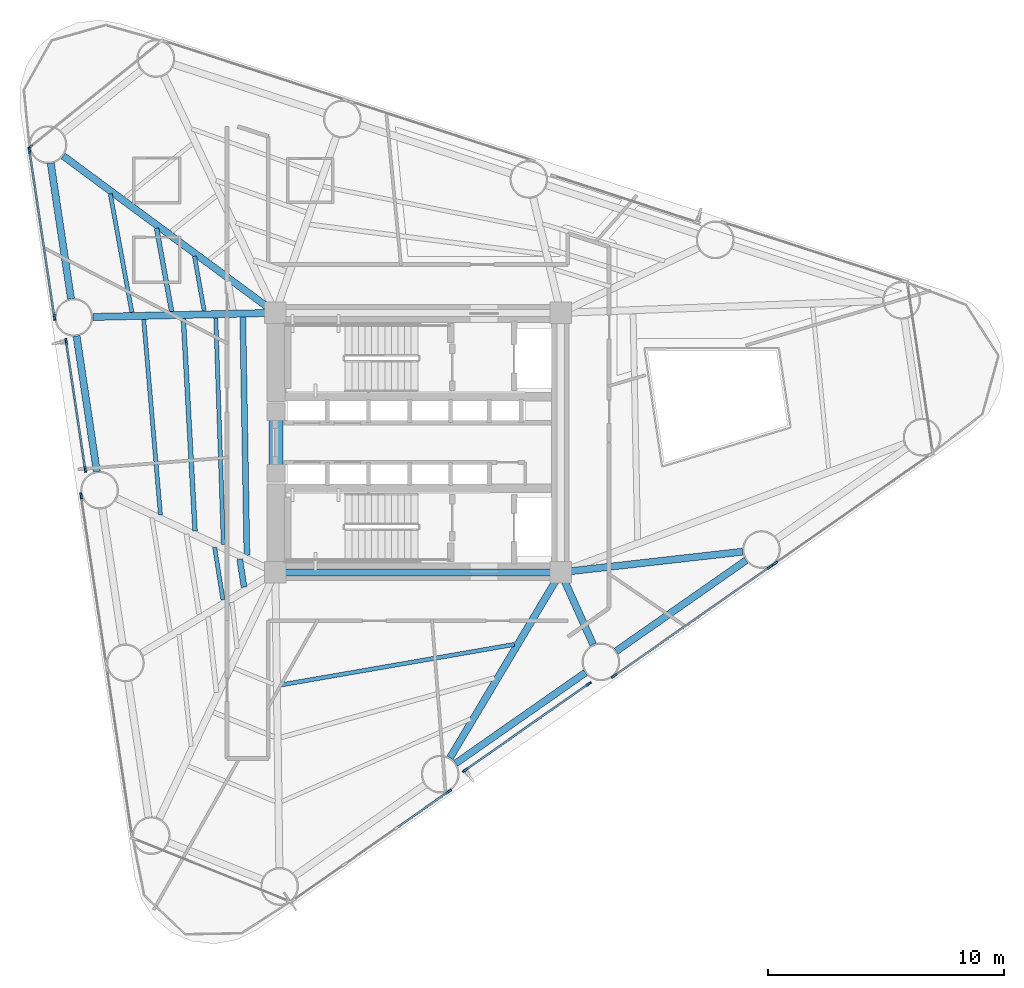
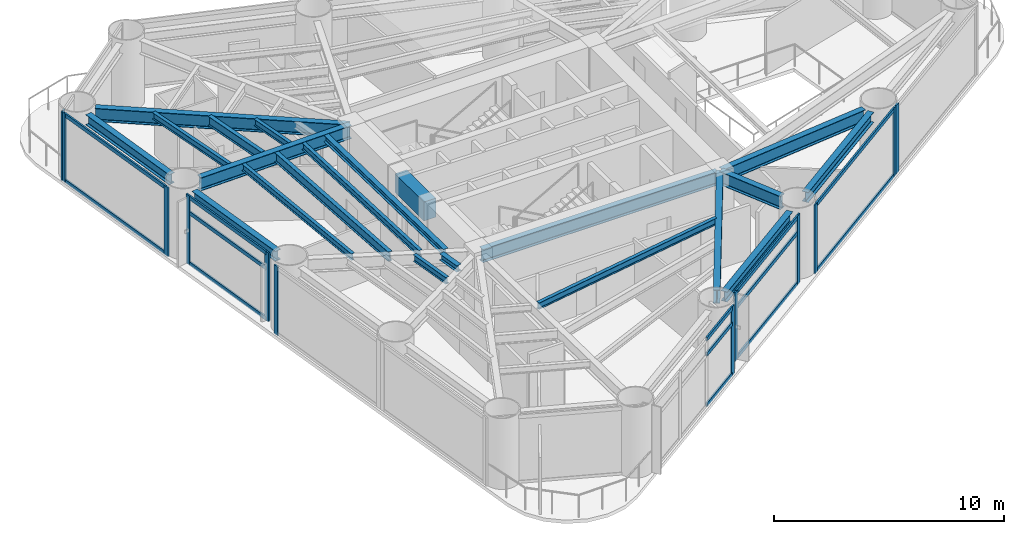
# One storey, part 2 of 9: 25 members, 21 beams, 8 elements without a shape of their own.
"""IFC4 building model written with IfcOpenShell, lengths in metres."""

from ifc_helpers import new_model, si_unit, direction, frame, origin, origin_2d, place, context, subcontext, project, spatial, rectangle, i_section, extrude, source, transform, mapped, material, layer, layer_set, material_profile, profile_set, type_object, element, aggregate, save


model = new_model("IFC4")

# Units and contexts
model_context = context("Model", 3, precision=1e-05, world=origin(), true_north=direction((0.0, 1.0)))
body_context = subcontext(model_context, "Body", "Model", "MODEL_VIEW")
ifc_project = project(units=[si_unit("LENGTHUNIT", "METRE"), si_unit("AREAUNIT", "SQUARE_METRE"), si_unit("VOLUMEUNIT", "CUBIC_METRE"), si_unit("PLANEANGLEUNIT", "RADIAN"), si_unit("MASSUNIT", "GRAM", prefix="KILO")], contexts=[model_context])

# Site, building, storey
site_placement = place(None, origin())
site = spatial("IfcSite", under=ifc_project, at=site_placement, CompositionType="ELEMENT")
building_placement = place(site_placement, origin())
building = spatial("IfcBuilding", under=site, at=building_placement, Name="Yunling Apex Tower", CompositionType="ELEMENT")
storey_placement = place(building_placement, frame((0.0, 0.0, 66.050048828125)))
storey = spatial("IfcBuildingStorey", under=building, at=storey_placement, Name="L17", CompositionType="ELEMENT", Elevation=66.050048828125)

# Beams
ifc_material_1 = material(Name="Concrete C60", Category="concrete")
ifc_material_profile_1 = material_profile(ifc_material_1, rectangle(XDim=0.60009765625, YDim=1.0, at=origin_2d()))
ifc_profile_set_1 = profile_set([ifc_material_profile_1], Name="Concrete C60")
beam_type_1 = type_object("IfcBeamType", Name="BC-CPL-1", PredefinedType="BEAM", material=ifc_profile_set_1)
shared_shape_1 = source(origin(), body_context, "Body", "SweptSolid", [
    extrude(rectangle(XDim=0.60009765625, YDim=1.0, at=origin_2d()), origin(), (0.0, 0.0, 1.0), 2.5),
])
beam_1_placement = place(storey_placement, frame((-6.02490234375, -1.25, 3.06494140625), z_axis=(0.0, 1.0, 0.0), x_axis=(-1.0, 0.0, 0.0)))
element("IfcBeam", 1, at=beam_1_placement, inside=storey, type_object=beam_type_1, Name="L17 Core West Portal Coupling Beam", PredefinedType="BEAM", context=body_context, shape_type="MappedRepresentation", body=[
    mapped(shared_shape_1, transform((0.0, 0.0, 0.0), scale=1.0)),
])
ifc_material_2 = material(Name="Steel Q355B", Category="steel")
ifc_material_profile_2 = material_profile(ifc_material_2, i_section(OverallWidth=0.300048828125, OverallDepth=0.699951171875, WebThickness=0.012939453125, FlangeThickness=0.02392578125, FilletRadius=0.02587890625, at=origin_2d()))
ifc_profile_set_2 = profile_set([ifc_material_profile_2], Name="Steel Q355B")
beam_type_2 = type_object("IfcBeamType", Name="BG-PRI-3", PredefinedType="USERDEFINED", material=ifc_profile_set_2)
shared_shape_2 = source(origin(), body_context, "Body", "SweptSolid", [
    extrude(i_section(OverallWidth=0.300048828125, OverallDepth=0.699951171875, WebThickness=0.012939453125, FlangeThickness=0.02392578125, FilletRadius=0.02587890625, at=origin_2d()), origin(), (0.0, 0.0, 1.0), 11.7998046875),
])
beam_2_placement = place(storey_placement, frame((-5.89990234375, -5.5, 3.21484375), z_axis=(1.0, 0.0, 0.0), x_axis=(0.0, 1.0, 0.0)))
element("IfcBeam", 2, at=beam_2_placement, inside=storey, type_object=beam_type_2, Name="L17 Core Ring Tie Beam 1", ObjectType="GIRDER", PredefinedType="USERDEFINED", context=body_context, shape_type="MappedRepresentation", body=[
    mapped(shared_shape_2, transform((0.0, 0.0, 0.0), scale=1.0)),
])
ifc_material_profile_3 = material_profile(ifc_material_2, i_section(OverallWidth=0.300048828125, OverallDepth=0.5400390625, WebThickness=0.011962890625, FlangeThickness=0.02001953125, FilletRadius=0.02392578125, at=origin_2d()))
ifc_profile_set_3 = profile_set([ifc_material_profile_3], Name="Steel Q355B")
beam_type_3 = type_object("IfcBeamType", Name="BP-SPN-1", PredefinedType="SPANDREL", material=ifc_profile_set_3)
shared_shape_3 = source(origin(), body_context, "Body", "SweptSolid", [
    extrude(i_section(OverallWidth=0.300048828125, OverallDepth=0.5400390625, WebThickness=0.011962890625, FlangeThickness=0.02001953125, FilletRadius=0.02392578125, at=origin_2d()), origin(), (0.0, 0.0, 1.0), 6.721435546875),
])
for number, where, z_axis, x_axis, name in (
    (3, (1.59228515625, -13.60302734375, 3.294921875), (0.81955772083, 0.572996633697, 0.0), (-0.572996633697, 0.81955772083, 0.0), "L17 Perimeter Spandrel Beam 2"),
    (4, (8.40234375, -8.841796875, 3.294921875), (0.81955772083, 0.572996633697, 0.0), (-0.572996633697, 0.81955772083, 0.0), "L17 Perimeter Spandrel Beam 3"),
):
    element("IfcBeam", number, at=place(storey_placement, frame(where, z_axis=z_axis, x_axis=x_axis)), inside=storey, type_object=beam_type_3, Name=name, PredefinedType="SPANDREL", context=body_context, shape_type="MappedRepresentation", body=[
        mapped(shared_shape_3, transform((0.0, 0.0, 0.0), scale=1.0)),
    ])
shared_shape_4 = source(origin(), body_context, "Body", "SweptSolid", [
    extrude(i_section(OverallWidth=0.300048828125, OverallDepth=0.5400390625, WebThickness=0.011962890625, FlangeThickness=0.02001953125, FilletRadius=0.02392578125, at=origin_2d()), origin(), (0.0, 0.0, 1.0), 5.81689453125),
])
for number, where, z_axis, x_axis, name in (
    (5, (-15.57177734375, 11.84423828125, 3.294921875), (0.147823230204, -0.989013797989, 0.0), (0.989013797989, 0.147823230204, 0.0), "L17 Perimeter Spandrel Beam 11"),
    (6, (-14.477294921875, 4.5205078125, 3.294921875), (0.147823230204, -0.989013797989, 0.0), (0.989013797989, 0.147823230204, 0.0), "L17 Perimeter Spandrel Beam 12"),
):
    element("IfcBeam", number, at=place(storey_placement, frame(where, z_axis=z_axis, x_axis=x_axis)), inside=storey, type_object=beam_type_3, Name=name, PredefinedType="SPANDREL", context=body_context, shape_type="MappedRepresentation", body=[
        mapped(shared_shape_4, transform((0.0, 0.0, 0.0), scale=1.0)),
    ])
shared_shape_5 = source(origin(), body_context, "Body", "SweptSolid", [
    extrude(i_section(OverallWidth=0.300048828125, OverallDepth=0.699951171875, WebThickness=0.012939453125, FlangeThickness=0.02392578125, FilletRadius=0.02587890625, at=origin_2d()), origin(), (0.0, 0.0, 1.0), 9.078857421875),
])
beam_3_placement = place(storey_placement, frame((1.355712890625, -13.3642578125, 3.21484375), z_axis=(0.512544819157, 0.858660473269, 0.0), x_axis=(-0.858660473269, 0.512544819157, 0.0)))
element("IfcBeam", 7, at=beam_3_placement, inside=storey, type_object=beam_type_2, Name="L17 Radial Primary Girder R02", ObjectType="GIRDER", PredefinedType="USERDEFINED", context=body_context, shape_type="MappedRepresentation", body=[
    mapped(shared_shape_5, transform((0.0, 0.0, 0.0), scale=1.0)),
])
shared_shape_6 = source(origin(), body_context, "Body", "SweptSolid", [
    extrude(i_section(OverallWidth=0.300048828125, OverallDepth=0.699951171875, WebThickness=0.012939453125, FlangeThickness=0.02392578125, FilletRadius=0.02587890625, at=origin_2d()), origin(), (0.0, 0.0, 1.0), 3.272705078125),
])
beam_4_placement = place(storey_placement, frame((7.421142578125, -8.5595703125, 3.21484375), z_axis=(-0.408946662986, 0.912558286814, 0.0), x_axis=(-0.912558286814, -0.408946662986, 0.0)))
element("IfcBeam", 8, at=beam_4_placement, inside=storey, type_object=beam_type_2, Name="L17 Radial Primary Girder R03", ObjectType="GIRDER", PredefinedType="USERDEFINED", context=body_context, shape_type="MappedRepresentation", body=[
    mapped(shared_shape_6, transform((0.0, 0.0, 0.0), scale=1.0)),
])
shared_shape_7 = source(origin(), body_context, "Body", "SweptSolid", [
    extrude(i_section(OverallWidth=0.300048828125, OverallDepth=0.699951171875, WebThickness=0.012939453125, FlangeThickness=0.02392578125, FilletRadius=0.02587890625, at=origin_2d()), origin(), (0.0, 0.0, 1.0), 7.677978515625),
])
beam_5_placement = place(storey_placement, frame((13.758544921875, -4.62646484375, 3.21484375), z_axis=(-0.993640958951, -0.112595047382, 0.0), x_axis=(0.112595047382, -0.993640958951, 0.0)))
element("IfcBeam", 9, at=beam_5_placement, inside=storey, type_object=beam_type_2, Name="L17 Radial Primary Girder R04", ObjectType="GIRDER", PredefinedType="USERDEFINED", context=body_context, shape_type="MappedRepresentation", body=[
    mapped(shared_shape_7, transform((0.0, 0.0, 0.0), scale=1.0)),
])
shared_shape_8 = source(origin(), body_context, "Body", "SweptSolid", [
    extrude(i_section(OverallWidth=0.300048828125, OverallDepth=0.699951171875, WebThickness=0.012939453125, FlangeThickness=0.02392578125, FilletRadius=0.02587890625, at=origin_2d()), origin(), (0.0, 0.0, 1.0), 11.101318359375),
])
beam_6_placement = place(storey_placement, frame((-15.03955078125, 12.14892578125, 3.21484375), z_axis=(0.803988254112, -0.594645177606, 0.0), x_axis=(0.594645177606, 0.803988254112, 0.0)))
element("IfcBeam", 10, at=beam_6_placement, inside=storey, type_object=beam_type_2, Name="L17 Radial Primary Girder R11", ObjectType="GIRDER", PredefinedType="USERDEFINED", context=body_context, shape_type="MappedRepresentation", body=[
    mapped(shared_shape_8, transform((0.0, 0.0, 0.0), scale=1.0)),
])
shared_shape_9 = source(origin(), body_context, "Body", "SweptSolid", [
    extrude(i_section(OverallWidth=0.300048828125, OverallDepth=0.699951171875, WebThickness=0.012939453125, FlangeThickness=0.02392578125, FilletRadius=0.02587890625, at=origin_2d()), origin(), (0.0, 0.0, 1.0), 7.658935546875),
])
beam_7_placement = place(storey_placement, frame((-13.786865234375, 5.32421875, 3.21484375), z_axis=(0.999741687414, 0.022727922173, 0.0), x_axis=(-0.022727922173, 0.999741687414, 0.0)))
element("IfcBeam", 11, at=beam_7_placement, inside=storey, type_object=beam_type_2, Name="L17 Radial Primary Girder R12", ObjectType="GIRDER", PredefinedType="USERDEFINED", context=body_context, shape_type="MappedRepresentation", body=[
    mapped(shared_shape_9, transform((0.0, 0.0, 0.0), scale=1.0)),
])
ifc_material_profile_4 = material_profile(ifc_material_2, i_section(OverallWidth=0.175048828125, OverallDepth=0.35009765625, WebThickness=0.007080078125, FlangeThickness=0.010986328125, FilletRadius=0.013916015625, at=origin_2d()))
ifc_profile_set_4 = profile_set([ifc_material_profile_4], Name="Steel Q355B")
beam_type_4 = type_object("IfcBeamType", Name="BJ-JST-1", PredefinedType="JOIST", material=ifc_profile_set_4)
shared_shape_10 = source(origin(), body_context, "Body", "SweptSolid", [
    extrude(i_section(OverallWidth=0.175048828125, OverallDepth=0.35009765625, WebThickness=0.007080078125, FlangeThickness=0.010986328125, FilletRadius=0.013916015625, at=origin_2d()), origin(), (0.0, 0.0, 1.0), 10.057861328125),
])
beam_8_placement = place(storey_placement, frame((-5.826904296875, -10.276611328125, 3.389892578125), z_axis=(0.985298923649, 0.170839196488, 0.0), x_axis=(-0.170839196488, 0.985298923649, 0.0)))
element("IfcBeam", 12, at=beam_8_placement, inside=storey, type_object=beam_type_4, Name="L17 Composite Floor Joist BJ3-1", PredefinedType="JOIST", context=body_context, shape_type="MappedRepresentation", body=[
    mapped(shared_shape_10, transform((0.0, 0.0, 0.0), scale=1.0)),
])
ifc_material_profile_5 = material_profile(ifc_material_2, i_section(OverallWidth=0.199951171875, OverallDepth=0.5, WebThickness=0.010009765625, FlangeThickness=0.01611328125, FilletRadius=0.02001953125, at=origin_2d()))
ifc_profile_set_5 = profile_set([ifc_material_profile_5], Name="Steel Q355B")
beam_type_5 = type_object("IfcBeamType", Name="BS-SEC-2", PredefinedType="BEAM", material=ifc_profile_set_5)
shared_shape_11 = source(origin(), body_context, "Body", "SweptSolid", [
    extrude(i_section(OverallWidth=0.199951171875, OverallDepth=0.5, WebThickness=0.010009765625, FlangeThickness=0.01611328125, FilletRadius=0.02001953125, at=origin_2d()), origin(), (0.0, 0.0, 1.0), 3.5859375),
])
beam_9_placement = place(storey_placement, frame((-11.083984375, 9.0869140625, 3.31494140625), z_axis=(0.177830877335, -0.984061064704, 0.0), x_axis=(0.984061064704, 0.177830877335, 0.0)))
element("IfcBeam", 13, at=beam_9_placement, inside=storey, type_object=beam_type_5, Name="L17 Composite Floor Beam BS-11", PredefinedType="BEAM", context=body_context, shape_type="MappedRepresentation", body=[
    mapped(shared_shape_11, transform((0.0, 0.0, 0.0), scale=1.0)),
])
shared_shape_12 = source(origin(), body_context, "Body", "SweptSolid", [
    extrude(i_section(OverallWidth=0.175048828125, OverallDepth=0.35009765625, WebThickness=0.007080078125, FlangeThickness=0.010986328125, FilletRadius=0.013916015625, at=origin_2d()), origin(), (0.0, 0.0, 1.0), 5.102294921875),
])
beam_10_placement = place(storey_placement, frame((-13.047119140625, 10.539306640625, 3.389892578125), z_axis=(0.179533864947, -0.983751793562, 0.0), x_axis=(0.983751793562, 0.179533864947, 0.0)))
element("IfcBeam", 14, at=beam_10_placement, inside=storey, type_object=beam_type_4, Name="L17 Composite Floor Joist BJ1-11", PredefinedType="JOIST", context=body_context, shape_type="MappedRepresentation", body=[
    mapped(shared_shape_12, transform((0.0, 0.0, 0.0), scale=1.0)),
])
shared_shape_13 = source(origin(), body_context, "Body", "SweptSolid", [
    extrude(i_section(OverallWidth=0.175048828125, OverallDepth=0.35009765625, WebThickness=0.007080078125, FlangeThickness=0.010986328125, FilletRadius=0.013916015625, at=origin_2d()), origin(), (0.0, 0.0, 1.0), 2.34521484375),
])
beam_11_placement = place(storey_placement, frame((-9.477783203125, 7.898681640625, 3.389892578125), z_axis=(0.174889813897, -0.984588011808, 0.0), x_axis=(0.984588011808, 0.174889813897, 0.0)))
element("IfcBeam", 15, at=beam_11_placement, inside=storey, type_object=beam_type_4, Name="L17 Composite Floor Joist BJ3-11", PredefinedType="JOIST", context=body_context, shape_type="MappedRepresentation", body=[
    mapped(shared_shape_13, transform((0.0, 0.0, 0.0), scale=1.0)),
])
shared_shape_14 = source(origin(), body_context, "Body", "SweptSolid", [
    extrude(i_section(OverallWidth=0.199951171875, OverallDepth=0.5, WebThickness=0.010009765625, FlangeThickness=0.01611328125, FilletRadius=0.02001953125, at=origin_2d()), origin(), (0.0, 0.0, 1.0), 9.018310546875),
])
beam_12_placement = place(storey_placement, frame((-9.94970703125, 5.25146484375, 3.31494140625), z_axis=(0.054955731572, -0.998488791909, 0.0), x_axis=(0.998488791909, 0.054955731572, 0.0)))
element("IfcBeam", 16, at=beam_12_placement, inside=storey, type_object=beam_type_5, Name="L17 Composite Floor Beam BS-12", PredefinedType="BEAM", context=body_context, shape_type="MappedRepresentation", body=[
    mapped(shared_shape_14, transform((0.0, 0.0, 0.0), scale=1.0)),
])
shared_shape_15 = source(origin(), body_context, "Body", "SweptSolid", [
    extrude(i_section(OverallWidth=0.175048828125, OverallDepth=0.35009765625, WebThickness=0.007080078125, FlangeThickness=0.010986328125, FilletRadius=0.013916015625, at=origin_2d()), origin(), (0.0, 0.0, 1.0), 8.313720703125),
])
beam_13_placement = place(storey_placement, frame((-11.62939453125, 5.21337890625, 3.389892578125), z_axis=(0.085220398072, -0.996362124808, 0.0), x_axis=(0.996362124808, 0.085220398072, 0.0)))
element("IfcBeam", 17, at=beam_13_placement, inside=storey, type_object=beam_type_4, Name="L17 Composite Floor Joist BJ1-12", PredefinedType="JOIST", context=body_context, shape_type="MappedRepresentation", body=[
    mapped(shared_shape_15, transform((0.0, 0.0, 0.0), scale=1.0)),
])
shared_shape_16 = source(origin(), body_context, "Body", "SweptSolid", [
    extrude(i_section(OverallWidth=0.175048828125, OverallDepth=0.35009765625, WebThickness=0.007080078125, FlangeThickness=0.010986328125, FilletRadius=0.013916015625, at=origin_2d()), origin(), (0.0, 0.0, 1.0), 9.600341796875),
])
beam_14_placement = place(storey_placement, frame((-8.57470703125, 5.28271484375, 3.389892578125), z_axis=(0.033364787957, -0.999443240472, 0.0), x_axis=(0.999443240472, 0.033364787957, 0.0)))
element("IfcBeam", 18, at=beam_14_placement, inside=storey, type_object=beam_type_4, Name="L17 Composite Floor Joist BJ3-12", PredefinedType="JOIST", context=body_context, shape_type="MappedRepresentation", body=[
    mapped(shared_shape_16, transform((0.0, 0.0, 0.0), scale=1.0)),
])
ifc_material_profile_6 = material_profile(ifc_material_2, i_section(OverallWidth=0.25, OverallDepth=0.340087890625, WebThickness=0.009033203125, FlangeThickness=0.013916015625, FilletRadius=0.01806640625, at=origin_2d()))
ifc_profile_set_6 = profile_set([ifc_material_profile_6], Name="Steel Q355B")
beam_type_6 = type_object("IfcBeamType", Name="BJ-JST-2", PredefinedType="JOIST", material=ifc_profile_set_6)
shared_shape_17 = source(origin(), body_context, "Body", "SweptSolid", [
    extrude(i_section(OverallWidth=0.25, OverallDepth=0.340087890625, WebThickness=0.009033203125, FlangeThickness=0.013916015625, FilletRadius=0.01806640625, at=origin_2d()), origin(), (0.0, 0.0, 1.0), 10.088134765625),
])
beam_15_placement = place(storey_placement, frame((-7.428955078125, 5.30859375, 3.39501953125), z_axis=(0.017255085284, -0.999851119933, 0.0), x_axis=(0.999851119933, 0.017255085284, 0.0)))
element("IfcBeam", 19, at=beam_15_placement, inside=storey, type_object=beam_type_6, Name="L17 Composite Floor Joist BJ2-12", PredefinedType="JOIST", context=body_context, shape_type="MappedRepresentation", body=[
    mapped(shared_shape_17, transform((0.0, 0.0, 0.0), scale=1.0)),
])
shared_shape_18 = source(origin(), body_context, "Body", "SweptSolid", [
    extrude(i_section(OverallWidth=0.175048828125, OverallDepth=0.35009765625, WebThickness=0.007080078125, FlangeThickness=0.010986328125, FilletRadius=0.013916015625, at=origin_2d()), origin(), (0.0, 0.0, 1.0), 2.252685546875),
])
beam_16_placement = place(storey_placement, frame((-8.622802734375, -4.443603515625, 3.389892578125), z_axis=(0.156608129458, -0.987660819203, 0.0), x_axis=(0.987660819203, 0.156608129458, 0.0)))
element("IfcBeam", 20, at=beam_16_placement, inside=storey, type_object=beam_type_4, Name="L17 Composite Floor Joist BJ3-13", PredefinedType="JOIST", context=body_context, shape_type="MappedRepresentation", body=[
    mapped(shared_shape_18, transform((0.0, 0.0, 0.0), scale=1.0)),
])
shared_shape_19 = source(origin(), body_context, "Body", "SweptSolid", [
    extrude(i_section(OverallWidth=0.25, OverallDepth=0.340087890625, WebThickness=0.009033203125, FlangeThickness=0.013916015625, FilletRadius=0.01806640625, at=origin_2d()), origin(), (0.0, 0.0, 1.0), 1.20068359375),
])
beam_17_placement = place(storey_placement, frame((-7.559814453125, -4.94091796875, 3.39501953125), z_axis=(0.154531945298, -0.987987792375, 0.0), x_axis=(0.987987792375, 0.154531945298, 0.0)))
element("IfcBeam", 21, at=beam_17_placement, inside=storey, type_object=beam_type_6, Name="L17 Composite Floor Joist BJ2-13", PredefinedType="JOIST", context=body_context, shape_type="MappedRepresentation", body=[
    mapped(shared_shape_19, transform((0.0, 0.0, 0.0), scale=1.0)),
])

# Curtain wall, member
ifc_material_3 = material(Name="Bronze anodised aluminium", Category="aluminium")
ifc_layer = layer(ifc_material_3, 0.260009765625)
ifc_layer_set = layer_set([ifc_layer], Name="Bronze anodised aluminium")
curtain_wall_type = type_object("IfcCurtainWallType", Name="CW-SYS-2", PredefinedType="NOTDEFINED", material=ifc_layer_set)
curtain_wall_1_placement = place(storey_placement, origin())
curtain_wall_1 = element("IfcCurtainWall", 22, at=curtain_wall_1_placement, inside=storey, type_object=curtain_wall_type, Name="CW-L17-F1-B1", PredefinedType="NOTDEFINED")
ifc_material_profile_7 = material_profile(ifc_material_3, rectangle(XDim=0.0849609375, YDim=0.260009765625, at=origin_2d()))
ifc_profile_set_7 = profile_set([ifc_material_profile_7], Name="Bronze anodised aluminium")
member_type_1 = type_object("IfcMemberType", Name="CW-MUL-2", PredefinedType="MULLION", material=ifc_profile_set_7)
shared_shape_20 = source(origin(), body_context, "Body", "SweptSolid", [
    extrude(rectangle(XDim=0.0849609375, YDim=0.260009765625, at=origin_2d()), origin(), (0.0, 0.0, 1.0), 3.6650390625),
])
member_1_placement = place(storey_placement, frame((1.305419921875, -14.7919921875, -0.050048828125), z_axis=(0.0, 0.0, 1.0), x_axis=(-0.573004358875, 0.819552319691, 0.0)))
member_1 = element("IfcMember", 23, at=member_1_placement, type_object=member_type_1, Name="CW-SYS-2 mullion 4", PredefinedType="MULLION", context=body_context, shape_type="MappedRepresentation", body=[
    mapped(shared_shape_20, transform((0.0, 0.0, 0.0), scale=1.0)),
])

# Curtain wall, members
curtain_wall_2_placement = place(storey_placement, origin())
curtain_wall_2 = element("IfcCurtainWall", 24, at=curtain_wall_2_placement, inside=storey, type_object=curtain_wall_type, Name="CW-L17-F1-B2", PredefinedType="NOTDEFINED")
member_2_placement = place(storey_placement, frame((1.999755859375, -13.8916015625, -0.050048828125), z_axis=(0.0, 0.0, 1.0), x_axis=(-0.573002671888, 0.819553499175, 0.0)))
member_2 = element("IfcMember", 25, at=member_2_placement, type_object=member_type_1, Name="CW-SYS-2 mullion 1", PredefinedType="MULLION", context=body_context, shape_type="MappedRepresentation", body=[
    mapped(shared_shape_20, transform((0.0, 0.0, 0.0), scale=1.0)),
])
member_3_placement = place(storey_placement, frame((7.232177734375, -10.2333984375, -0.050048828125), z_axis=(0.0, 0.0, 1.0), x_axis=(-0.573002671888, 0.819553499175, 0.0)))
member_3 = element("IfcMember", 26, at=member_3_placement, type_object=member_type_1, Name="CW-SYS-2 mullion 2", PredefinedType="MULLION", context=body_context, shape_type="MappedRepresentation", body=[
    mapped(shared_shape_20, transform((0.0, 0.0, 0.0), scale=1.0)),
])

curtain_wall_3_placement = place(storey_placement, origin())
curtain_wall_3 = element("IfcCurtainWall", 27, at=curtain_wall_3_placement, inside=storey, type_object=curtain_wall_type, Name="CW-L17-F1-B3", PredefinedType="NOTDEFINED")
member_4_placement = place(storey_placement, frame((8.31591796875, -9.890380859375, -0.050048828125), z_axis=(0.0, 0.0, 1.0), x_axis=(-0.572996116804, 0.819558082217, 0.0)))
member_4 = element("IfcMember", 28, at=member_4_placement, type_object=member_type_1, Name="CW-SYS-2 mullion 1", PredefinedType="MULLION", context=body_context, shape_type="MappedRepresentation", body=[
    mapped(shared_shape_20, transform((0.0, 0.0, 0.0), scale=1.0)),
])
member_5_placement = place(storey_placement, frame((14.925048828125, -5.26953125, -0.050048828125), z_axis=(0.0, 0.0, 1.0), x_axis=(-0.572996116804, 0.819558082217, 0.0)))
member_5 = element("IfcMember", 29, at=member_5_placement, type_object=member_type_1, Name="CW-SYS-2 mullion 2", PredefinedType="MULLION", context=body_context, shape_type="MappedRepresentation", body=[
    mapped(shared_shape_20, transform((0.0, 0.0, 0.0), scale=1.0)),
])

# Curtain wall, member
curtain_wall_4_placement = place(storey_placement, origin())
curtain_wall_4 = element("IfcCurtainWall", 30, at=curtain_wall_4_placement, inside=storey, type_object=curtain_wall_type, Name="CW-L17-F1-B4", PredefinedType="NOTDEFINED")
member_6_placement = place(storey_placement, frame((15.1259765625, -5.129150390625, -0.050048828125), z_axis=(0.0, 0.0, 1.0), x_axis=(-0.573004358875, 0.819552319691, 0.0)))
member_6 = element("IfcMember", 31, at=member_6_placement, type_object=member_type_1, Name="CW-SYS-2 mullion 1", PredefinedType="MULLION", context=body_context, shape_type="MappedRepresentation", body=[
    mapped(shared_shape_20, transform((0.0, 0.0, 0.0), scale=1.0)),
])
aggregate(curtain_wall_4, [member_6])

curtain_wall_5_placement = place(storey_placement, origin())
curtain_wall_5 = element("IfcCurtainWall", 32, at=curtain_wall_5_placement, inside=storey, type_object=curtain_wall_type, Name="CW-L17-CRN2", PredefinedType="NOTDEFINED")
member_7_placement = place(storey_placement, frame((-16.4375, 12.539306640625, -0.050048828125), z_axis=(0.0, 0.0, 1.0), x_axis=(0.628079941911, -0.778148820322, 0.0)))
member_7 = element("IfcMember", 33, at=member_7_placement, type_object=member_type_1, Name="CW-SYS-2 mullion 2", PredefinedType="MULLION", context=body_context, shape_type="MappedRepresentation", body=[
    mapped(shared_shape_20, transform((0.0, 0.0, 0.0), scale=1.0)),
])
aggregate(curtain_wall_5, [member_7])

# Curtain wall, members
curtain_wall_6_placement = place(storey_placement, origin())
curtain_wall_6 = element("IfcCurtainWall", 34, at=curtain_wall_6_placement, inside=storey, type_object=curtain_wall_type, Name="CW-L17-F3-B1", PredefinedType="NOTDEFINED")
member_8_placement = place(storey_placement, frame((-16.47216796875, 12.388671875, -0.050048828125), z_axis=(0.0, 0.0, 1.0), x_axis=(0.989017400941, 0.147799122579, 0.0)))
member_8 = element("IfcMember", 35, at=member_8_placement, type_object=member_type_1, Name="CW-SYS-2 mullion 1", PredefinedType="MULLION", context=body_context, shape_type="MappedRepresentation", body=[
    mapped(shared_shape_20, transform((0.0, 0.0, 0.0), scale=1.0)),
])
member_9_placement = place(storey_placement, frame((-15.413818359375, 5.307373046875, -0.050048828125), z_axis=(0.0, 0.0, 1.0), x_axis=(0.989017400941, 0.147799122579, 0.0)))
member_9 = element("IfcMember", 36, at=member_9_placement, type_object=member_type_1, Name="CW-SYS-2 mullion 2", PredefinedType="MULLION", context=body_context, shape_type="MappedRepresentation", body=[
    mapped(shared_shape_20, transform((0.0, 0.0, 0.0), scale=1.0)),
])

curtain_wall_7_placement = place(storey_placement, origin())
curtain_wall_7 = element("IfcCurtainWall", 37, at=curtain_wall_7_placement, inside=storey, type_object=curtain_wall_type, Name="CW-L17-F3-B2", PredefinedType="NOTDEFINED")
member_10_placement = place(storey_placement, frame((-14.917236328125, 4.28466796875, -0.050048828125), z_axis=(0.0, 0.0, 1.0), x_axis=(0.98901713531, 0.147800900076, 0.0)))
member_10 = element("IfcMember", 38, at=member_10_placement, type_object=member_type_1, Name="CW-SYS-2 mullion 1", PredefinedType="MULLION", context=body_context, shape_type="MappedRepresentation", body=[
    mapped(shared_shape_20, transform((0.0, 0.0, 0.0), scale=1.0)),
])
member_11_placement = place(storey_placement, frame((-14.107177734375, -1.13525390625, -0.050048828125), z_axis=(0.0, 0.0, 1.0), x_axis=(0.98901713531, 0.147800900076, 0.0)))
member_11 = element("IfcMember", 39, at=member_11_placement, type_object=member_type_1, Name="CW-SYS-2 mullion 2", PredefinedType="MULLION", context=body_context, shape_type="MappedRepresentation", body=[
    mapped(shared_shape_20, transform((0.0, 0.0, 0.0), scale=1.0)),
])

# Curtain wall, member
curtain_wall_8_placement = place(storey_placement, origin())
curtain_wall_8 = element("IfcCurtainWall", 40, at=curtain_wall_8_placement, inside=storey, type_object=curtain_wall_type, Name="CW-L17-F3-B3", PredefinedType="NOTDEFINED")
member_12_placement = place(storey_placement, frame((-14.283203125, -2.258544921875, -0.050048828125), z_axis=(0.0, 0.0, 1.0), x_axis=(0.98901508166, 0.147814641525, 0.0)))
member_12 = element("IfcMember", 41, at=member_12_placement, type_object=member_type_1, Name="CW-SYS-2 mullion 1", PredefinedType="MULLION", context=body_context, shape_type="MappedRepresentation", body=[
    mapped(shared_shape_20, transform((0.0, 0.0, 0.0), scale=1.0)),
])
aggregate(curtain_wall_8, [member_12])

# Member
ifc_material_profile_8 = material_profile(ifc_material_3, rectangle(XDim=0.0849609375, YDim=0.199951171875, at=origin_2d()))
ifc_profile_set_8 = profile_set([ifc_material_profile_8], Name="Bronze anodised aluminium")
member_type_2 = type_object("IfcMemberType", Name="CW-TRN-2", PredefinedType="USERDEFINED", material=ifc_profile_set_8)
shared_shape_21 = source(origin(), body_context, "Body", "SweptSolid", [
    extrude(rectangle(XDim=0.0849609375, YDim=0.199951171875, at=origin_2d()), origin(), (0.0, 0.0, 1.0), 2.59765625),
])
member_13_placement = place(storey_placement, frame((-0.854736328125, -16.30224609375, 0.04248046875), z_axis=(0.819585012743, 0.572957596064, 0.0), x_axis=(-0.572957596064, 0.819585012743, 0.0)))
member_13 = element("IfcMember", 42, at=member_13_placement, type_object=member_type_2, Name="CW-SYS-2 transom 3.1", ObjectType="TRANSOM", PredefinedType="USERDEFINED", context=body_context, shape_type="MappedRepresentation", body=[
    mapped(shared_shape_21, transform((0.0, 0.0, 0.0), scale=1.0)),
])

member_14_placement = place(storey_placement, frame((-0.854736328125, -16.30224609375, 2.71484375), z_axis=(0.819585012743, 0.572957596064, 0.0), x_axis=(-0.572957596064, 0.819585012743, 0.0)))
member_14 = element("IfcMember", 43, at=member_14_placement, type_object=member_type_2, Name="CW-SYS-2 transom 3.2", ObjectType="TRANSOM", PredefinedType="USERDEFINED", context=body_context, shape_type="MappedRepresentation", body=[
    mapped(shared_shape_21, transform((0.0, 0.0, 0.0), scale=1.0)),
])

member_15_placement = place(storey_placement, frame((-0.854736328125, -16.30224609375, 3.5224609375), z_axis=(0.819585012743, 0.572957596064, 0.0), x_axis=(-0.572957596064, 0.819585012743, 0.0)))
member_15 = element("IfcMember", 44, at=member_15_placement, type_object=member_type_2, Name="CW-SYS-2 transom 3.3", ObjectType="TRANSOM", PredefinedType="USERDEFINED", context=body_context, shape_type="MappedRepresentation", body=[
    mapped(shared_shape_21, transform((0.0, 0.0, 0.0), scale=1.0)),
])

aggregate(curtain_wall_1, [member_1, member_13, member_14, member_15])

shared_shape_22 = source(origin(), body_context, "Body", "SweptSolid", [
    extrude(rectangle(XDim=0.0849609375, YDim=0.199951171875, at=origin_2d()), origin(), (0.0, 0.0, 1.0), 6.3076171875),
])
member_16_placement = place(storey_placement, frame((2.03125, -13.86962890625, 0.04248046875), z_axis=(0.819555463581, 0.57299986223, 0.0), x_axis=(-0.57299986223, 0.819555463581, 0.0)))
member_16 = element("IfcMember", 45, at=member_16_placement, type_object=member_type_2, Name="CW-SYS-2 transom 1.1", ObjectType="TRANSOM", PredefinedType="USERDEFINED", context=body_context, shape_type="MappedRepresentation", body=[
    mapped(shared_shape_22, transform((0.0, 0.0, 0.0), scale=1.0)),
])

member_17_placement = place(storey_placement, frame((2.03125, -13.86962890625, 2.71484375), z_axis=(0.819555463581, 0.57299986223, 0.0), x_axis=(-0.57299986223, 0.819555463581, 0.0)))
member_17 = element("IfcMember", 46, at=member_17_placement, type_object=member_type_2, Name="CW-SYS-2 transom 1.2", ObjectType="TRANSOM", PredefinedType="USERDEFINED", context=body_context, shape_type="MappedRepresentation", body=[
    mapped(shared_shape_22, transform((0.0, 0.0, 0.0), scale=1.0)),
])

member_18_placement = place(storey_placement, frame((2.03125, -13.86962890625, 3.5224609375), z_axis=(0.819555463581, 0.57299986223, 0.0), x_axis=(-0.57299986223, 0.819555463581, 0.0)))
member_18 = element("IfcMember", 47, at=member_18_placement, type_object=member_type_2, Name="CW-SYS-2 transom 1.3", ObjectType="TRANSOM", PredefinedType="USERDEFINED", context=body_context, shape_type="MappedRepresentation", body=[
    mapped(shared_shape_22, transform((0.0, 0.0, 0.0), scale=1.0)),
])

aggregate(curtain_wall_2, [member_2, member_3, member_16, member_17, member_18])

shared_shape_23 = source(origin(), body_context, "Body", "SweptSolid", [
    extrude(rectangle(XDim=0.0849609375, YDim=0.199951171875, at=origin_2d()), origin(), (0.0, 0.0, 1.0), 7.98779296875),
])
member_19_placement = place(storey_placement, frame((8.347412109375, -9.868408203125, 0.04248046875), z_axis=(0.819559176955, 0.572994550995, 0.0), x_axis=(-0.572994550995, 0.819559176955, 0.0)))
member_19 = element("IfcMember", 48, at=member_19_placement, type_object=member_type_2, Name="CW-SYS-2 transom 1.1", ObjectType="TRANSOM", PredefinedType="USERDEFINED", context=body_context, shape_type="MappedRepresentation", body=[
    mapped(shared_shape_23, transform((0.0, 0.0, 0.0), scale=1.0)),
])

member_20_placement = place(storey_placement, frame((8.347412109375, -9.868408203125, 3.5224609375), z_axis=(0.819559176955, 0.572994550995, 0.0), x_axis=(-0.572994550995, 0.819559176955, 0.0)))
member_20 = element("IfcMember", 49, at=member_20_placement, type_object=member_type_2, Name="CW-SYS-2 transom 1.2", ObjectType="TRANSOM", PredefinedType="USERDEFINED", context=body_context, shape_type="MappedRepresentation", body=[
    mapped(shared_shape_23, transform((0.0, 0.0, 0.0), scale=1.0)),
])

aggregate(curtain_wall_3, [member_4, member_5, member_19, member_20])

shared_shape_24 = source(origin(), body_context, "Body", "SweptSolid", [
    extrude(rectangle(XDim=0.0849609375, YDim=0.199951171875, at=origin_2d()), origin(), (0.0, 0.0, 1.0), 7.08349609375),
])
member_21_placement = place(storey_placement, frame((-16.466552734375, 12.350830078125, 0.04248046875), z_axis=(0.147826386349, -0.989013326249, 0.0), x_axis=(0.989013326249, 0.147826386349, 0.0)))
member_21 = element("IfcMember", 50, at=member_21_placement, type_object=member_type_2, Name="CW-SYS-2 transom 1.1", ObjectType="TRANSOM", PredefinedType="USERDEFINED", context=body_context, shape_type="MappedRepresentation", body=[
    mapped(shared_shape_24, transform((0.0, 0.0, 0.0), scale=1.0)),
])

member_22_placement = place(storey_placement, frame((-16.466552734375, 12.350830078125, 3.5224609375), z_axis=(0.147826386349, -0.989013326249, 0.0), x_axis=(0.989013326249, 0.147826386349, 0.0)))
member_22 = element("IfcMember", 51, at=member_22_placement, type_object=member_type_2, Name="CW-SYS-2 transom 1.2", ObjectType="TRANSOM", PredefinedType="USERDEFINED", context=body_context, shape_type="MappedRepresentation", body=[
    mapped(shared_shape_24, transform((0.0, 0.0, 0.0), scale=1.0)),
])

aggregate(curtain_wall_6, [member_8, member_9, member_21, member_22])

shared_shape_25 = source(origin(), body_context, "Body", "SweptSolid", [
    extrude(rectangle(XDim=0.0849609375, YDim=0.199951171875, at=origin_2d()), origin(), (0.0, 0.0, 1.0), 5.403564453125),
])
member_23_placement = place(storey_placement, frame((-14.91162109375, 4.246826171875, 0.04248046875), z_axis=(0.147788090943, -0.98901904945, 0.0), x_axis=(0.98901904945, 0.147788090943, 0.0)))
member_23 = element("IfcMember", 52, at=member_23_placement, type_object=member_type_2, Name="CW-SYS-2 transom 1.1", ObjectType="TRANSOM", PredefinedType="USERDEFINED", context=body_context, shape_type="MappedRepresentation", body=[
    mapped(shared_shape_25, transform((0.0, 0.0, 0.0), scale=1.0)),
])

member_24_placement = place(storey_placement, frame((-14.91162109375, 4.246826171875, 2.71484375), z_axis=(0.147788090943, -0.98901904945, 0.0), x_axis=(0.98901904945, 0.147788090943, 0.0)))
member_24 = element("IfcMember", 53, at=member_24_placement, type_object=member_type_2, Name="CW-SYS-2 transom 1.2", ObjectType="TRANSOM", PredefinedType="USERDEFINED", context=body_context, shape_type="MappedRepresentation", body=[
    mapped(shared_shape_25, transform((0.0, 0.0, 0.0), scale=1.0)),
])

member_25_placement = place(storey_placement, frame((-14.91162109375, 4.246826171875, 3.5224609375), z_axis=(0.147788090943, -0.98901904945, 0.0), x_axis=(0.98901904945, 0.147788090943, 0.0)))
member_25 = element("IfcMember", 54, at=member_25_placement, type_object=member_type_2, Name="CW-SYS-2 transom 1.3", ObjectType="TRANSOM", PredefinedType="USERDEFINED", context=body_context, shape_type="MappedRepresentation", body=[
    mapped(shared_shape_25, transform((0.0, 0.0, 0.0), scale=1.0)),
])

aggregate(curtain_wall_7, [member_10, member_11, member_23, member_24, member_25])

save(model, "model.ifc")
